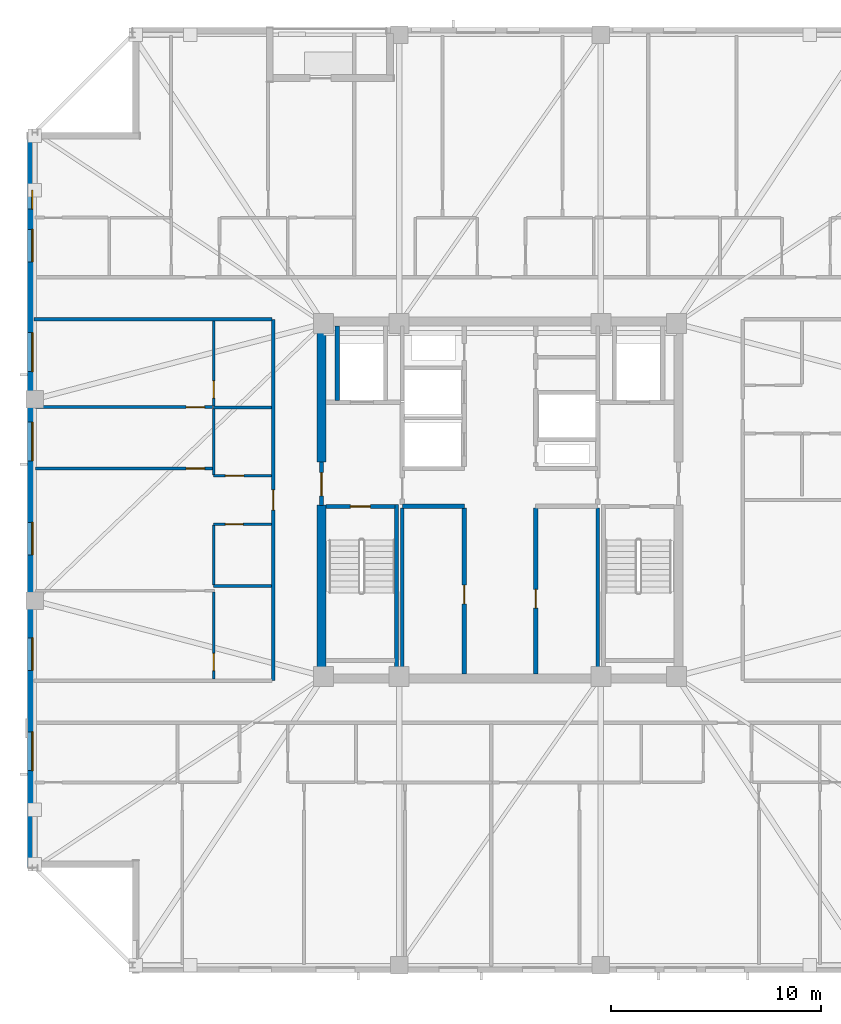
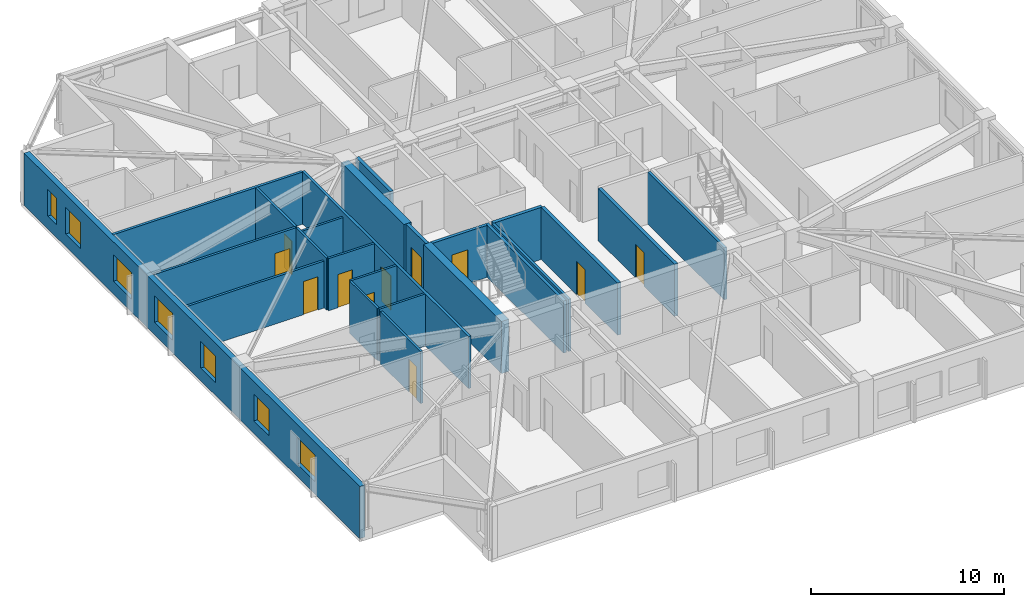
# One storey, part 8 of 17: 24 walls, 11 doors, 7 windows, 18 openings.
"""IFC4 building model written with IfcOpenShell, lengths in metres."""

from ifc_helpers import new_model, si_unit, direction, frame, frame_2d, origin, place, context, subcontext, project, spatial, rectangle, extrude, material, layer, layer_set, type_object, element, fill, save


model = new_model("IFC4")

# Units and contexts
model_context = context("Model", 3, precision=1e-05, world=origin(), true_north=direction((0.0, 1.0)))
body_context = subcontext(model_context, "Body", "Model", "MODEL_VIEW")
ifc_project = project(units=[si_unit("LENGTHUNIT", "METRE"), si_unit("AREAUNIT", "SQUARE_METRE"), si_unit("VOLUMEUNIT", "CUBIC_METRE"), si_unit("PLANEANGLEUNIT", "RADIAN"), si_unit("MASSUNIT", "GRAM", prefix="KILO")], contexts=[model_context])

# Site, building, storey
site_placement = place(None, origin())
site = spatial("IfcSite", under=ifc_project, at=site_placement, CompositionType="ELEMENT")
building_placement = place(site_placement, origin())
building = spatial("IfcBuilding", under=site, at=building_placement, Name="Cairnveth Concourse Tower", CompositionType="ELEMENT")
storey_placement = place(building_placement, frame((0.0, 0.0, 223.5)))
storey = spatial("IfcBuildingStorey", under=building, at=storey_placement, Name="L61", CompositionType="ELEMENT", Elevation=223.5)

# Walls
ifc_material_1 = material(Name="Gypsum Plasterboard Partition", Category="gypsum")
ifc_layer_1 = layer(ifc_material_1, 0.159912109375)
ifc_layer_set_1 = layer_set([ifc_layer_1], Name="Gypsum Plasterboard Partition")
wall_type_1 = type_object("IfcWallType", Name="ACOUSTIC PARTY WALL 180", PredefinedType="PARTITIONING", material=ifc_layer_set_1)
for number, where, z_axis, x_axis, name in (
    (1, (47.35009765625, 30.7099609375, 0.0), (0.0, 0.0, 1.0), (0.0, 1.0, 0.0), "Interior Wall IW-L61-025"),
    (2, (56.64990234375, 30.7099609375, 0.0), (0.0, 0.0, 1.0), (0.0, 1.0, 0.0), "Interior Wall IW-L61-026"),
):
    element("IfcWall", number, at=place(storey_placement, frame(where, z_axis=z_axis, x_axis=x_axis)), inside=storey, type_object=wall_type_1, Name=name, PredefinedType="PARTITIONING", context=body_context, shape_type="SweptSolid", body=[
        extrude(rectangle(XDim=7.905029296875, YDim=0.159912109375, at=frame_2d((3.95263671875, 0.0))), origin(), (0.0, 0.0, 1.0), 3.2900390625),
    ])

# Wall, opening, door
wall_1_placement = place(storey_placement, frame((41.199951171875, 30.39990234375, 0.0), z_axis=(0.0, 0.0, 1.0), x_axis=(0.0, 1.0, 0.0)))
wall_1 = element("IfcWall", 3, at=wall_1_placement, inside=storey, type_object=wall_type_1, Name="Interior Wall IW-L61-036", PredefinedType="PARTITIONING", context=body_context, shape_type="SweptSolid", body=[
    extrude(rectangle(XDim=17.2001953125, YDim=0.159912109375, at=frame_2d((8.60009765625, 0.0))), origin(), (0.0, 0.0, 1.0), 3.2900390625),
])
opening_1_placement = place(wall_1_placement, frame((8.1201171875, 0.0, 0.0)))
opening_1 = element("IfcOpeningElement", 4, at=opening_1_placement, cuts=wall_1, Name="Opening ID10", PredefinedType="OPENING", context=body_context, shape_type="SweptSolid", body=[
    extrude(rectangle(XDim=0.9599609375, YDim=2.179931640625, at=frame_2d((0.47998046875, 1.08984375))), frame((0.0, 0.08984375, 0.0), z_axis=(0.0, -1.0, 0.0), x_axis=(1.0, 0.0, 0.0)), (0.0, 0.0, 1.0), 0.179931640625),
])
ifc_material_2 = material(Name="Solid Core Hardwood Timber Leaf", Category="wood")
door_type_1 = type_object("IfcDoorType", Name="FLAT ENTRANCE DOOR 960X2150", OperationType="NOTDEFINED", PredefinedType="DOOR", material=ifc_material_2)
door_1_placement = place(opening_1_placement, origin())
door_1 = element("IfcDoor", 5, at=door_1_placement, inside=storey, type_object=door_type_1, Name="Apartment L61W1 Entrance Door", OperationType="SINGLE_SWING_RIGHT", OverallHeight=2.179931640625, OverallWidth=0.9599609375, PredefinedType="DOOR", context=body_context, shape_type="SweptSolid", body=[
    extrude(rectangle(XDim=0.9599609375, YDim=2.179931640625, at=frame_2d((0.47998046875, 1.08984375))), frame((0.0, 0.02490234375, 0.0), z_axis=(0.0, -1.0, 0.0), x_axis=(1.0, 0.0, 0.0)), (0.0, 0.0, 1.0), 0.050048828125),
])
fill(opening_1, door_1)

# Walls
wall_2_placement = place(storey_placement, frame((29.804931640625, 47.60009765625, 0.0), z_axis=(0.0, 0.0, 1.0), x_axis=(1.0, 0.0, 0.0)))
element("IfcWall", 6, at=wall_2_placement, inside=storey, type_object=wall_type_1, Name="Interior Wall IW-L61-039", PredefinedType="PARTITIONING", context=body_context, shape_type="SweptSolid", body=[
    extrude(rectangle(XDim=11.330078125, YDim=0.159912109375, at=frame_2d((5.6650390625, 0.0))), origin(), (0.0, 0.0, 1.0), 3.2900390625),
])
ifc_material_3 = material(Name="Concrete N65 (65 MPa)", Category="concrete")
ifc_layer_2 = layer(ifc_material_3, 0.449951171875)
ifc_layer_set_2 = layer_set([ifc_layer_2], Name="Concrete N65 (65 MPa)")
wall_type_2 = type_object("IfcWallType", Name="CORE SHEAR WALL 450", PredefinedType="SHEAR", material=ifc_layer_set_2)
wall_3_placement = place(storey_placement, frame((43.5, 30.715087890625, 0.0), z_axis=(0.0, 0.0, 1.0), x_axis=(0.0, 1.0, 0.0)))
element("IfcWall", 7, at=wall_3_placement, inside=storey, type_object=wall_type_2, Name="Core West Shear Wall S L61", PredefinedType="SHEAR", context=body_context, shape_type="SweptSolid", body=[
    extrude(rectangle(XDim=8.034912109375, YDim=0.449951171875, at=frame_2d((4.017578125, 0.0))), origin(), (0.0, 0.0, 1.0), 3.2900390625),
])
wall_4_placement = place(storey_placement, frame((43.5, 40.800048828125, 0.0), z_axis=(0.0, 0.0, 1.0), x_axis=(0.0, 1.0, 0.0)))
element("IfcWall", 8, at=wall_4_placement, inside=storey, type_object=wall_type_2, Name="Core West Shear Wall N L61", PredefinedType="SHEAR", context=body_context, shape_type="SweptSolid", body=[
    extrude(rectangle(XDim=6.48486328125, YDim=0.449951171875, at=frame_2d((3.242431640625, 0.0))), origin(), (0.0, 0.0, 1.0), 3.2900390625),
])

# Wall, opening, door
ifc_material_4 = material(Name="Concrete N50 (50 MPa)", Category="concrete")
ifc_layer_3 = layer(ifc_material_4, 0.179931640625)
ifc_layer_set_3 = layer_set([ifc_layer_3], Name="Concrete N50 (50 MPa)")
wall_type_3 = type_object("IfcWallType", Name="FIRE SHAFT WALL 180", PredefinedType="SOLIDWALL", material=ifc_layer_set_3)
wall_5_placement = place(storey_placement, frame((43.715087890625, 38.68994140625, 0.0), z_axis=(0.0, 0.0, 1.0), x_axis=(1.0, 0.0, 0.0)))
wall_5 = element("IfcWall", 9, at=wall_5_placement, inside=storey, type_object=wall_type_3, Name="Stair ST-1 Shaft Wall NEAR L61", PredefinedType="SOLIDWALL", context=body_context, shape_type="SweptSolid", body=[
    extrude(rectangle(XDim=3.280029296875, YDim=0.179931640625, at=frame_2d((1.64013671875, 0.0))), origin(), (0.0, 0.0, 1.0), 3.2900390625),
])
opening_2_placement = place(wall_5_placement, frame((1.1650390625, 0.0, 0.0)))
opening_2 = element("IfcOpeningElement", 10, at=opening_2_placement, cuts=wall_5, Name="Opening ID12", PredefinedType="OPENING", context=body_context, shape_type="SweptSolid", body=[
    extrude(rectangle(XDim=0.949951171875, YDim=2.14990234375, at=frame_2d((0.47509765625, 1.074951171875))), frame((0.0, 0.099853515625, 0.0), z_axis=(0.0, -1.0, 0.0), x_axis=(1.0, 0.0, 0.0)), (0.0, 0.0, 1.0), 0.199951171875),
])
ifc_material_5 = material(Name="Steel Grade 350", Category="steel")
door_type_2 = type_object("IfcDoorType", Name="FIRE STAIR DOOR 950X2150", OperationType="NOTDEFINED", PredefinedType="DOOR", material=ifc_material_5)
door_2_placement = place(opening_2_placement, origin())
door_2 = element("IfcDoor", 11, at=door_2_placement, inside=storey, type_object=door_type_2, Name="Stair ST-1 Fire Door L61", OperationType="SINGLE_SWING_LEFT", OverallHeight=2.14990234375, OverallWidth=0.949951171875, PredefinedType="DOOR", context=body_context, shape_type="SweptSolid", body=[
    extrude(rectangle(XDim=0.949951171875, YDim=2.14990234375, at=frame_2d((0.47509765625, 1.074951171875))), frame((0.0, 0.02490234375, 0.0), z_axis=(0.0, -1.0, 0.0), x_axis=(1.0, 0.0, 0.0)), (0.0, 0.0, 1.0), 0.050048828125),
])
fill(opening_2, door_2)

# Walls
wall_6_placement = place(storey_placement, frame((47.070068359375, 38.780029296875, 0.0), z_axis=(0.0, 0.0, 1.0), x_axis=(0.0, -1.0, 0.0)))
element("IfcWall", 12, at=wall_6_placement, inside=storey, type_object=wall_type_3, Name="Stair ST-1 Shaft Wall RGHT L61", PredefinedType="SOLIDWALL", context=body_context, shape_type="SweptSolid", body=[
    extrude(rectangle(XDim=8.067138671875, YDim=0.179931640625, at=frame_2d((4.03369140625, 0.0))), origin(), (0.0, 0.0, 1.0), 3.2900390625),
])
ifc_layer_4 = layer(ifc_material_4, 0.199951171875)
ifc_layer_set_4 = layer_set([ifc_layer_4], Name="Concrete N50 (50 MPa)")
wall_type_4 = type_object("IfcWallType", Name="FIRE SHAFT WALL 200", PredefinedType="SOLIDWALL", material=ifc_layer_set_4)
wall_7_placement = place(storey_placement, frame((47.35009765625, 38.699951171875, 0.0), z_axis=(0.0, 0.0, 1.0), x_axis=(1.0, 0.0, 0.0)))
element("IfcWall", 13, at=wall_7_placement, inside=storey, type_object=wall_type_4, Name="Interior Wall IW-L61-007", PredefinedType="SOLIDWALL", context=body_context, shape_type="SweptSolid", body=[
    extrude(rectangle(XDim=2.949951171875, YDim=0.199951171875, at=frame_2d((1.47509765625, 0.0))), origin(), (0.0, 0.0, 1.0), 3.2900390625),
])

# Wall, opening, door
wall_8_placement = place(storey_placement, frame((50.300048828125, 30.7099609375, 0.0), z_axis=(0.0, 0.0, 1.0), x_axis=(0.0, 1.0, 0.0)))
wall_8 = element("IfcWall", 14, at=wall_8_placement, inside=storey, type_object=wall_type_4, Name="Interior Wall IW-L61-011", PredefinedType="SOLIDWALL", context=body_context, shape_type="SweptSolid", body=[
    extrude(rectangle(XDim=7.905029296875, YDim=0.199951171875, at=frame_2d((3.95263671875, 0.0))), origin(), (0.0, 0.0, 1.0), 3.2900390625),
])
opening_3_placement = place(wall_8_placement, frame((3.340087890625, 0.0, 0.0)))
opening_3 = element("IfcOpeningElement", 15, at=opening_3_placement, cuts=wall_8, Name="Opening ID16", PredefinedType="OPENING", context=body_context, shape_type="SweptSolid", body=[
    extrude(rectangle(XDim=0.89990234375, YDim=2.1201171875, at=frame_2d((0.449951171875, 1.06005859375))), frame((0.0, 0.10986328125, 0.0), z_axis=(0.0, -1.0, 0.0), x_axis=(1.0, 0.0, 0.0)), (0.0, 0.0, 1.0), 0.219970703125),
])
door_type_3 = type_object("IfcDoorType", Name="CORE SERVICE DOOR 900X2100", OperationType="NOTDEFINED", PredefinedType="DOOR", material=ifc_material_5)
door_3_placement = place(opening_3_placement, origin())
door_3 = element("IfcDoor", 16, at=door_3_placement, inside=storey, type_object=door_type_3, Name="Linen Pantry Suite Door L61", OperationType="SINGLE_SWING_LEFT", OverallHeight=2.1201171875, OverallWidth=0.89990234375, PredefinedType="DOOR", context=body_context, shape_type="SweptSolid", body=[
    extrude(rectangle(XDim=0.89990234375, YDim=2.1201171875, at=frame_2d((0.449951171875, 1.06005859375))), frame((0.0, 0.02490234375, 0.0), z_axis=(0.0, -1.0, 0.0), x_axis=(1.0, 0.0, 0.0)), (0.0, 0.0, 1.0), 0.050048828125),
])
fill(opening_3, door_3)

wall_9_placement = place(storey_placement, frame((53.699951171875, 30.7099609375, 0.0), z_axis=(0.0, 0.0, 1.0), x_axis=(0.0, 1.0, 0.0)))
wall_9 = element("IfcWall", 17, at=wall_9_placement, inside=storey, type_object=wall_type_4, Name="Interior Wall IW-L61-012", PredefinedType="SOLIDWALL", context=body_context, shape_type="SweptSolid", body=[
    extrude(rectangle(XDim=7.905029296875, YDim=0.199951171875, at=frame_2d((3.95263671875, 0.0))), origin(), (0.0, 0.0, 1.0), 3.2900390625),
])
opening_4_placement = place(wall_9_placement, frame((3.139892578125, 0.0, 0.0)))
opening_4 = element("IfcOpeningElement", 18, at=opening_4_placement, cuts=wall_9, Name="Opening ID16", PredefinedType="OPENING", context=body_context, shape_type="SweptSolid", body=[
    extrude(rectangle(XDim=0.89990234375, YDim=2.1201171875, at=frame_2d((0.449951171875, 1.06005859375))), frame((0.0, 0.10986328125, 0.0), z_axis=(0.0, -1.0, 0.0), x_axis=(1.0, 0.0, 0.0)), (0.0, 0.0, 1.0), 0.219970703125),
])
door_4_placement = place(opening_4_placement, origin())
door_4 = element("IfcDoor", 19, at=door_4_placement, inside=storey, type_object=door_type_3, Name="Sky Pantry Door L61", OperationType="SINGLE_SWING_RIGHT", OverallHeight=2.1201171875, OverallWidth=0.89990234375, PredefinedType="DOOR", context=body_context, shape_type="SweptSolid", body=[
    extrude(rectangle(XDim=0.89990234375, YDim=2.1201171875, at=frame_2d((0.449951171875, 1.06005859375))), frame((0.0, 0.02490234375, 0.0), z_axis=(0.0, -1.0, 0.0), x_axis=(1.0, 0.0, 0.0)), (0.0, 0.0, 1.0), 0.050048828125),
])
fill(opening_4, door_4)

wall_10_placement = place(storey_placement, frame((43.5, 38.75, 0.0), z_axis=(0.0, 0.0, 1.0), x_axis=(0.0, 1.0, 0.0)))
wall_10 = element("IfcWall", 20, at=wall_10_placement, inside=storey, type_object=wall_type_4, Name="Interior Wall IW-L61-015", PredefinedType="SOLIDWALL", context=body_context, shape_type="SweptSolid", body=[
    extrude(rectangle(XDim=2.050048828125, YDim=0.199951171875, at=frame_2d((1.02490234375, 0.0))), origin(), (0.0, 0.0, 1.0), 3.2900390625),
])
opening_5_placement = place(wall_10_placement, frame((0.449951171875, 0.0, 0.0)))
opening_5 = element("IfcOpeningElement", 21, at=opening_5_placement, cuts=wall_10, Name="Opening ID06", PredefinedType="OPENING", context=body_context, shape_type="SweptSolid", body=[
    extrude(rectangle(XDim=1.10009765625, YDim=2.14990234375, at=frame_2d((0.550048828125, 1.074951171875))), frame((0.0, 0.10986328125, 0.0), z_axis=(0.0, -1.0, 0.0), x_axis=(1.0, 0.0, 0.0)), (0.0, 0.0, 1.0), 0.219970703125),
])
door_type_4 = type_object("IfcDoorType", Name="FIRE CORRIDOR DOOR 1100X2150", OperationType="NOTDEFINED", PredefinedType="DOOR", material=ifc_material_5)
door_5_placement = place(opening_5_placement, origin())
door_5 = element("IfcDoor", 22, at=door_5_placement, inside=storey, type_object=door_type_4, Name="West Wing to FF Lobby Door L61", OperationType="SINGLE_SWING_LEFT", OverallHeight=2.14990234375, OverallWidth=1.10009765625, PredefinedType="DOOR", context=body_context, shape_type="SweptSolid", body=[
    extrude(rectangle(XDim=1.10009765625, YDim=2.14990234375, at=frame_2d((0.550048828125, 1.074951171875))), frame((0.0, 0.02490234375, 0.0), z_axis=(0.0, -1.0, 0.0), x_axis=(1.0, 0.0, 0.0)), (0.0, 0.0, 1.0), 0.050048828125),
])
fill(opening_5, door_5)

# Wall
wall_11_placement = place(storey_placement, frame((44.25, 43.735107421875, 0.0), z_axis=(0.0, 0.0, 1.0), x_axis=(0.0, 1.0, 0.0)))
element("IfcWall", 23, at=wall_11_placement, inside=storey, type_object=wall_type_4, Name="Interior Wall IW-L61-019", PredefinedType="SOLIDWALL", context=body_context, shape_type="SweptSolid", body=[
    extrude(rectangle(XDim=3.554931640625, YDim=0.199951171875, at=frame_2d((1.77734375, 0.0))), origin(), (0.0, 0.0, 1.0), 3.2900390625),
])

# Wall, opening, door
ifc_layer_5 = layer(ifc_material_1, 0.139892578125)
ifc_layer_set_5 = layer_set([ifc_layer_5], Name="Gypsum Plasterboard Partition")
wall_type_5 = type_object("IfcWallType", Name="GYPSUM STUD PARTITION 140", PredefinedType="PARTITIONING", material=ifc_layer_set_5)
wall_12_placement = place(storey_placement, frame((38.3701171875, 30.465087890625, 0.0), z_axis=(0.0, 0.0, 1.0), x_axis=(0.0, 1.0, 0.0)))
wall_12 = element("IfcWall", 24, at=wall_12_placement, inside=storey, type_object=wall_type_5, Name="Interior Wall IW-L61-103", PredefinedType="PARTITIONING", context=body_context, shape_type="SweptSolid", body=[
    extrude(rectangle(XDim=4.159912109375, YDim=0.139892578125, at=frame_2d((2.080078125, 0.0))), origin(), (0.0, 0.0, 1.0), 3.2900390625),
])
opening_6_placement = place(wall_12_placement, frame((0.4150390625, 0.0, 0.0)))
opening_6 = element("IfcOpeningElement", 25, at=opening_6_placement, cuts=wall_12, Name="Opening ID22", PredefinedType="OPENING", context=body_context, shape_type="SweptSolid", body=[
    extrude(rectangle(XDim=0.820068359375, YDim=2.10009765625, at=frame_2d((0.41015625, 1.050048828125))), frame((0.0, 0.079833984375, 0.0), z_axis=(0.0, -1.0, 0.0), x_axis=(1.0, 0.0, 0.0)), (0.0, 0.0, 1.0), 0.159912109375),
])
door_type_5 = type_object("IfcDoorType", Name="INTERIOR WC DOOR 820X2100", OperationType="NOTDEFINED", PredefinedType="DOOR", material=ifc_material_2)
door_6_placement = place(opening_6_placement, origin())
door_6 = element("IfcDoor", 26, at=door_6_placement, inside=storey, type_object=door_type_5, Name="L61W1 Dressing Door", OperationType="SINGLE_SWING_LEFT", OverallHeight=2.10009765625, OverallWidth=0.820068359375, PredefinedType="DOOR", context=body_context, shape_type="SweptSolid", body=[
    extrude(rectangle(XDim=0.820068359375, YDim=2.10009765625, at=frame_2d((0.41015625, 1.050048828125))), frame((0.0, 0.02490234375, 0.0), z_axis=(0.0, -1.0, 0.0), x_axis=(1.0, 0.0, 0.0)), (0.0, 0.0, 1.0), 0.050048828125),
])
fill(opening_6, door_6)

wall_13_placement = place(storey_placement, frame((29.8798828125, 43.419921875, 0.0), z_axis=(0.0, 0.0, 1.0), x_axis=(1.0, 0.0, 0.0)))
wall_13 = element("IfcWall", 27, at=wall_13_placement, inside=storey, type_object=wall_type_5, Name="Interior Wall IW-L61-104", PredefinedType="PARTITIONING", context=body_context, shape_type="SweptSolid", body=[
    extrude(rectangle(XDim=8.440185546875, YDim=0.139892578125, at=frame_2d((4.22021484375, 0.0))), origin(), (0.0, 0.0, 1.0), 3.2900390625),
])
opening_7_placement = place(wall_13_placement, frame((7.179931640625, 0.0, 0.0)))
opening_7 = element("IfcOpeningElement", 28, at=opening_7_placement, cuts=wall_13, Name="Opening ID18", PredefinedType="OPENING", context=body_context, shape_type="SweptSolid", body=[
    extrude(rectangle(XDim=0.8798828125, YDim=2.10009765625, at=frame_2d((0.43994140625, 1.050048828125))), frame((0.0, 0.079833984375, 0.0), z_axis=(0.0, -1.0, 0.0), x_axis=(1.0, 0.0, 0.0)), (0.0, 0.0, 1.0), 0.159912109375),
])
door_type_6 = type_object("IfcDoorType", Name="INTERIOR SINGLE DOOR 880X2100", OperationType="NOTDEFINED", PredefinedType="DOOR", material=ifc_material_2)
door_7_placement = place(opening_7_placement, origin())
door_7 = element("IfcDoor", 29, at=door_7_placement, inside=storey, type_object=door_type_6, Name="L61W1 Bedroom 2 Door", OperationType="SINGLE_SWING_RIGHT", OverallHeight=2.10009765625, OverallWidth=0.8798828125, PredefinedType="DOOR", context=body_context, shape_type="SweptSolid", body=[
    extrude(rectangle(XDim=0.8798828125, YDim=2.10009765625, at=frame_2d((0.43994140625, 1.050048828125))), frame((0.0, 0.02490234375, 0.0), z_axis=(0.0, -1.0, 0.0), x_axis=(1.0, 0.0, 0.0)), (0.0, 0.0, 1.0), 0.050048828125),
])
fill(opening_7, door_7)

wall_14_placement = place(storey_placement, frame((38.3701171875, 43.47509765625, 0.0), z_axis=(0.0, 0.0, 1.0), x_axis=(0.0, 1.0, 0.0)))
wall_14 = element("IfcWall", 30, at=wall_14_placement, inside=storey, type_object=wall_type_5, Name="Interior Wall IW-L61-105", PredefinedType="PARTITIONING", context=body_context, shape_type="SweptSolid", body=[
    extrude(rectangle(XDim=4.059814453125, YDim=0.139892578125, at=frame_2d((2.02978515625, 0.0))), origin(), (0.0, 0.0, 1.0), 3.2900390625),
])
opening_8_placement = place(wall_14_placement, frame((0.375, 0.0, 0.0)))
opening_8 = element("IfcOpeningElement", 31, at=opening_8_placement, cuts=wall_14, Name="Opening ID22", PredefinedType="OPENING", context=body_context, shape_type="SweptSolid", body=[
    extrude(rectangle(XDim=0.820068359375, YDim=2.10009765625, at=frame_2d((0.41015625, 1.050048828125))), frame((0.0, 0.079833984375, 0.0), z_axis=(0.0, -1.0, 0.0), x_axis=(1.0, 0.0, 0.0)), (0.0, 0.0, 1.0), 0.159912109375),
])
door_8_placement = place(opening_8_placement, origin())
door_8 = element("IfcDoor", 32, at=door_8_placement, inside=storey, type_object=door_type_5, Name="L61W1 Utility Door", OperationType="SINGLE_SWING_LEFT", OverallHeight=2.10009765625, OverallWidth=0.820068359375, PredefinedType="DOOR", context=body_context, shape_type="SweptSolid", body=[
    extrude(rectangle(XDim=0.820068359375, YDim=2.10009765625, at=frame_2d((0.41015625, 1.050048828125))), frame((0.0, 0.02490234375, 0.0), z_axis=(0.0, -1.0, 0.0), x_axis=(1.0, 0.0, 0.0)), (0.0, 0.0, 1.0), 0.050048828125),
])
fill(opening_8, door_8)

wall_15_placement = place(storey_placement, frame((29.8798828125, 40.5, 0.0), z_axis=(0.0, 0.0, 1.0), x_axis=(1.0, 0.0, 0.0)))
wall_15 = element("IfcWall", 33, at=wall_15_placement, inside=storey, type_object=wall_type_5, Name="Interior Wall IW-L61-106", PredefinedType="PARTITIONING", context=body_context, shape_type="SweptSolid", body=[
    extrude(rectangle(XDim=8.440185546875, YDim=0.139892578125, at=frame_2d((4.22021484375, 0.0))), origin(), (0.0, 0.0, 1.0), 2.9580078125),
])
opening_9_placement = place(wall_15_placement, frame((7.179931640625, 0.0, 0.0)))
opening_9 = element("IfcOpeningElement", 34, at=opening_9_placement, cuts=wall_15, Name="Opening ID18", PredefinedType="OPENING", context=body_context, shape_type="SweptSolid", body=[
    extrude(rectangle(XDim=0.8798828125, YDim=2.10009765625, at=frame_2d((0.43994140625, 1.050048828125))), frame((0.0, 0.079833984375, 0.0), z_axis=(0.0, -1.0, 0.0), x_axis=(1.0, 0.0, 0.0)), (0.0, 0.0, 1.0), 0.159912109375),
])
door_9_placement = place(opening_9_placement, origin())
door_9 = element("IfcDoor", 35, at=door_9_placement, inside=storey, type_object=door_type_6, Name="L61W1 Media Lounge Door", OperationType="SINGLE_SWING_LEFT", OverallHeight=2.10009765625, OverallWidth=0.8798828125, PredefinedType="DOOR", context=body_context, shape_type="SweptSolid", body=[
    extrude(rectangle(XDim=0.8798828125, YDim=2.10009765625, at=frame_2d((0.43994140625, 1.050048828125))), frame((0.0, 0.02490234375, 0.0), z_axis=(0.0, -1.0, 0.0), x_axis=(1.0, 0.0, 0.0)), (0.0, 0.0, 1.0), 0.050048828125),
])
fill(opening_9, door_9)

# Wall
ifc_layer_6 = layer(ifc_material_1, 0.1298828125)
ifc_layer_set_6 = layer_set([ifc_layer_6], Name="Gypsum Plasterboard Partition")
wall_type_6 = type_object("IfcWallType", Name="WET AREA PARTITION 140", PredefinedType="PLUMBINGWALL", material=ifc_layer_set_6)
wall_16_placement = place(storey_placement, frame((38.3701171875, 34.89990234375, 0.0), z_axis=(0.0, 0.0, 1.0), x_axis=(1.0, 0.0, 0.0)))
element("IfcWall", 36, at=wall_16_placement, inside=storey, type_object=wall_type_6, Name="Interior Wall IW-L61-096", PredefinedType="PLUMBINGWALL", context=body_context, shape_type="SweptSolid", body=[
    extrude(rectangle(XDim=2.75, YDim=0.1298828125, at=frame_2d((1.375, 0.0))), origin(), (0.0, 0.0, 1.0), 3.2900390625),
])

# Wall, opening, door
wall_17_placement = place(storey_placement, frame((38.3701171875, 37.85009765625, 0.0), z_axis=(0.0, 0.0, 1.0), x_axis=(1.0, 0.0, 0.0)))
wall_17 = element("IfcWall", 37, at=wall_17_placement, inside=storey, type_object=wall_type_6, Name="Interior Wall IW-L61-097", PredefinedType="PLUMBINGWALL", context=body_context, shape_type="SweptSolid", body=[
    extrude(rectangle(XDim=2.75, YDim=0.1298828125, at=frame_2d((1.375, 0.0))), origin(), (0.0, 0.0, 1.0), 3.2900390625),
])
opening_10_placement = place(wall_17_placement, frame((0.550048828125, 0.0, 0.0)))
opening_10 = element("IfcOpeningElement", 38, at=opening_10_placement, cuts=wall_17, Name="Opening ID21", PredefinedType="OPENING", context=body_context, shape_type="SweptSolid", body=[
    extrude(rectangle(XDim=0.85009765625, YDim=2.080078125, at=frame_2d((0.425048828125, 1.0400390625))), frame((0.0, 0.074951171875, 0.0), z_axis=(0.0, -1.0, 0.0), x_axis=(1.0, 0.0, 0.0)), (0.0, 0.0, 1.0), 0.14990234375),
])
door_type_7 = type_object("IfcDoorType", Name="INTERIOR WC DOOR 850X2100", OperationType="NOTDEFINED", PredefinedType="DOOR", material=ifc_material_2)
door_10_placement = place(opening_10_placement, origin())
door_10 = element("IfcDoor", 39, at=door_10_placement, inside=storey, type_object=door_type_7, Name="L61W1 Bathroom Door", OperationType="SINGLE_SWING_LEFT", OverallHeight=2.080078125, OverallWidth=0.85009765625, PredefinedType="DOOR", context=body_context, shape_type="SweptSolid", body=[
    extrude(rectangle(XDim=0.85009765625, YDim=2.080078125, at=frame_2d((0.425048828125, 1.0400390625))), frame((0.0, 0.02490234375, 0.0), z_axis=(0.0, -1.0, 0.0), x_axis=(1.0, 0.0, 0.0)), (0.0, 0.0, 1.0), 0.050048828125),
])
fill(opening_10, door_10)

# Walls
wall_18_placement = place(storey_placement, frame((38.3701171875, 34.949951171875, 0.0), z_axis=(0.0, 0.0, 1.0), x_axis=(0.0, 1.0, 0.0)))
element("IfcWall", 40, at=wall_18_placement, inside=storey, type_object=wall_type_6, Name="Interior Wall IW-L61-098", PredefinedType="PLUMBINGWALL", context=body_context, shape_type="SweptSolid", body=[
    extrude(rectangle(XDim=2.85009765625, YDim=0.1298828125, at=frame_2d((1.425048828125, 0.0))), origin(), (0.0, 0.0, 1.0), 3.2900390625),
])
wall_19_placement = place(storey_placement, frame((38.3701171875, 43.39990234375, 0.0), z_axis=(0.0, 0.0, 1.0), x_axis=(1.0, 0.0, 0.0)))
element("IfcWall", 41, at=wall_19_placement, inside=storey, type_object=wall_type_6, Name="Interior Wall IW-L61-099", PredefinedType="PLUMBINGWALL", context=body_context, shape_type="SweptSolid", body=[
    extrude(rectangle(XDim=2.75, YDim=0.1298828125, at=frame_2d((1.375, 0.0))), origin(), (0.0, 0.0, 1.0), 2.9580078125),
])

# Wall, opening, door
wall_20_placement = place(storey_placement, frame((38.3701171875, 40.14990234375, 0.0), z_axis=(0.0, 0.0, 1.0), x_axis=(1.0, 0.0, 0.0)))
wall_20 = element("IfcWall", 42, at=wall_20_placement, inside=storey, type_object=wall_type_6, Name="Interior Wall IW-L61-100", PredefinedType="PLUMBINGWALL", context=body_context, shape_type="SweptSolid", body=[
    extrude(rectangle(XDim=2.75, YDim=0.1298828125, at=frame_2d((1.375, 0.0))), origin(), (0.0, 0.0, 1.0), 3.2900390625),
])
opening_11_placement = place(wall_20_placement, frame((0.550048828125, 0.0, 0.0)))
opening_11 = element("IfcOpeningElement", 43, at=opening_11_placement, cuts=wall_20, Name="Opening ID18", PredefinedType="OPENING", context=body_context, shape_type="SweptSolid", body=[
    extrude(rectangle(XDim=0.8798828125, YDim=2.10009765625, at=frame_2d((0.43994140625, 1.050048828125))), frame((0.0, 0.074951171875, 0.0), z_axis=(0.0, -1.0, 0.0), x_axis=(1.0, 0.0, 0.0)), (0.0, 0.0, 1.0), 0.14990234375),
])
door_11_placement = place(opening_11_placement, origin())
door_11 = element("IfcDoor", 44, at=door_11_placement, inside=storey, type_object=door_type_6, Name="L61W1 Kitchen Door", OperationType="SINGLE_SWING_RIGHT", OverallHeight=2.10009765625, OverallWidth=0.8798828125, PredefinedType="DOOR", context=body_context, shape_type="SweptSolid", body=[
    extrude(rectangle(XDim=0.8798828125, YDim=2.10009765625, at=frame_2d((0.43994140625, 1.050048828125))), frame((0.0, 0.02490234375, 0.0), z_axis=(0.0, -1.0, 0.0), x_axis=(1.0, 0.0, 0.0)), (0.0, 0.0, 1.0), 0.050048828125),
])
fill(opening_11, door_11)

# Wall
wall_21_placement = place(storey_placement, frame((38.3701171875, 40.199951171875, 0.0), z_axis=(0.0, 0.0, 1.0), x_axis=(0.0, 1.0, 0.0)))
element("IfcWall", 45, at=wall_21_placement, inside=storey, type_object=wall_type_6, Name="Interior Wall IW-L61-101", PredefinedType="PLUMBINGWALL", context=body_context, shape_type="SweptSolid", body=[
    extrude(rectangle(XDim=3.150146484375, YDim=0.1298828125, at=frame_2d((1.5751953125, 0.0))), origin(), (0.0, 0.0, 1.0), 3.2900390625),
])

# Wall, openings, windows
ifc_material_6 = material(Name="Melbourne Buff Fired Clay Brick Masonry", Category="masonry")
ifc_layer_7 = layer(ifc_material_6, 0.320068359375)
ifc_layer_set_7 = layer_set([ifc_layer_7], Name="Melbourne Buff Fired Clay Brick Masonry")
wall_type_7 = type_object("IfcWallType", Name="ZONE 3 BRICK PIER SPANDREL WALL 320", PredefinedType="SOLIDWALL", material=ifc_layer_set_7)
wall_22_placement = place(storey_placement, frame((29.659912109375, 21.5, 0.0), z_axis=(0.0, 0.0, 1.0), x_axis=(0.0, 1.0, 0.0)))
wall_22 = element("IfcWall", 46, at=wall_22_placement, inside=storey, type_object=wall_type_7, Name="Exterior Wall EW-L61-S09", PredefinedType="SOLIDWALL", context=body_context, shape_type="SweptSolid", body=[
    extrude(rectangle(XDim=34.701904296875, YDim=0.320068359375, at=frame_2d((17.35107421875, 0.0))), origin(), (0.0, 0.0, 1.0), 3.2900390625),
])
opening_12_placement = place(wall_22_placement, frame((4.612548828125, 0.0, 0.800048828125)))
opening_12 = element("IfcOpeningElement", 47, at=opening_12_placement, cuts=wall_22, Name="Opening W08", PredefinedType="OPENING", context=body_context, shape_type="SweptSolid", body=[
    extrude(rectangle(XDim=1.85009765625, YDim=1.677978515625, at=frame_2d((0.925048828125, 0.8388671875))), frame((0.0, 0.169921875, 0.0), z_axis=(0.0, -1.0, 0.0), x_axis=(1.0, 0.0, 0.0)), (0.0, 0.0, 1.0), 0.340087890625),
])
opening_13_placement = place(wall_22_placement, frame((9.387939453125, 0.0, 0.800048828125)))
opening_13 = element("IfcOpeningElement", 48, at=opening_13_placement, cuts=wall_22, Name="Opening W07", PredefinedType="OPENING", context=body_context, shape_type="SweptSolid", body=[
    extrude(rectangle(XDim=1.550048828125, YDim=1.677978515625, at=frame_2d((0.77490234375, 0.8388671875))), frame((0.0, 0.169921875, 0.0), z_axis=(0.0, -1.0, 0.0), x_axis=(1.0, 0.0, 0.0)), (0.0, 0.0, 1.0), 0.340087890625),
])
opening_14_placement = place(wall_22_placement, frame((14.888427734375, 0.0, 0.800048828125)))
opening_14 = element("IfcOpeningElement", 49, at=opening_14_placement, cuts=wall_22, Name="Opening W07", PredefinedType="OPENING", context=body_context, shape_type="SweptSolid", body=[
    extrude(rectangle(XDim=1.550048828125, YDim=1.677978515625, at=frame_2d((0.77490234375, 0.8388671875))), frame((0.0, 0.169921875, 0.0), z_axis=(0.0, -1.0, 0.0), x_axis=(1.0, 0.0, 0.0)), (0.0, 0.0, 1.0), 0.340087890625),
])
opening_15_placement = place(wall_22_placement, frame((19.363525390625, 0.0, 0.800048828125)))
opening_15 = element("IfcOpeningElement", 50, at=opening_15_placement, cuts=wall_22, Name="Opening W08", PredefinedType="OPENING", context=body_context, shape_type="SweptSolid", body=[
    extrude(rectangle(XDim=1.85009765625, YDim=1.677978515625, at=frame_2d((0.925048828125, 0.8388671875))), frame((0.0, 0.169921875, 0.0), z_axis=(0.0, -1.0, 0.0), x_axis=(1.0, 0.0, 0.0)), (0.0, 0.0, 1.0), 0.340087890625),
])
opening_16_placement = place(wall_22_placement, frame((23.614013671875, 0.0, 0.800048828125)))
opening_16 = element("IfcOpeningElement", 51, at=opening_16_placement, cuts=wall_22, Name="Opening W08", PredefinedType="OPENING", context=body_context, shape_type="SweptSolid", body=[
    extrude(rectangle(XDim=1.85009765625, YDim=1.677978515625, at=frame_2d((0.925048828125, 0.8388671875))), frame((0.0, 0.169921875, 0.0), z_axis=(0.0, -1.0, 0.0), x_axis=(1.0, 0.0, 0.0)), (0.0, 0.0, 1.0), 0.340087890625),
])
opening_17_placement = place(wall_22_placement, frame((28.83935546875, 0.0, 0.800048828125)))
opening_17 = element("IfcOpeningElement", 52, at=opening_17_placement, cuts=wall_22, Name="Opening W07", PredefinedType="OPENING", context=body_context, shape_type="SweptSolid", body=[
    extrude(rectangle(XDim=1.550048828125, YDim=1.677978515625, at=frame_2d((0.77490234375, 0.8388671875))), frame((0.0, 0.169921875, 0.0), z_axis=(0.0, -1.0, 0.0), x_axis=(1.0, 0.0, 0.0)), (0.0, 0.0, 1.0), 0.340087890625),
])
opening_18_placement = place(wall_22_placement, frame((31.35009765625, 0.0, 0.800048828125)))
opening_18 = element("IfcOpeningElement", 53, at=opening_18_placement, cuts=wall_22, Name="Opening W13", PredefinedType="OPENING", context=body_context, shape_type="SweptSolid", body=[
    extrude(rectangle(XDim=0.89990234375, YDim=1.677978515625, at=frame_2d((0.449951171875, 0.8388671875))), frame((0.0, 0.169921875, 0.0), z_axis=(0.0, -1.0, 0.0), x_axis=(1.0, 0.0, 0.0)), (0.0, 0.0, 1.0), 0.340087890625),
])
ifc_material_7 = material(Name="Double Glazed Low-E Clear Glass", Category="glass")
window_type_1 = type_object("IfcWindowType", Name="DEEP-SET APARTMENT LIVING WINDOW 1850X1850", PartitioningType="DOUBLE_PANEL_VERTICAL", PredefinedType="WINDOW", material=ifc_material_7)
window_1_placement = place(opening_12_placement, origin())
window_1 = element("IfcWindow", 54, at=window_1_placement, inside=storey, type_object=window_type_1, Name="Gothic Lancet Window L61-9-1", OverallHeight=1.677978515625, OverallWidth=1.85009765625, PartitioningType="SINGLE_PANEL", PredefinedType="WINDOW", context=body_context, shape_type="SweptSolid", body=[
    extrude(rectangle(XDim=1.85009765625, YDim=1.677978515625, at=frame_2d((0.925048828125, 0.8388671875))), frame((0.0, -0.050048828125, 0.0), z_axis=(0.0, -1.0, 0.0), x_axis=(1.0, 0.0, 0.0)), (0.0, 0.0, 1.0), 0.06005859375),
])
fill(opening_12, window_1)
window_2_placement = place(opening_15_placement, origin())
window_2 = element("IfcWindow", 55, at=window_2_placement, inside=storey, type_object=window_type_1, Name="Gothic Lancet Window L61-9-5", OverallHeight=1.677978515625, OverallWidth=1.85009765625, PartitioningType="SINGLE_PANEL", PredefinedType="WINDOW", context=body_context, shape_type="SweptSolid", body=[
    extrude(rectangle(XDim=1.85009765625, YDim=1.677978515625, at=frame_2d((0.925048828125, 0.8388671875))), frame((0.0, -0.050048828125, 0.0), z_axis=(0.0, -1.0, 0.0), x_axis=(1.0, 0.0, 0.0)), (0.0, 0.0, 1.0), 0.06005859375),
])
fill(opening_15, window_2)
window_3_placement = place(opening_16_placement, origin())
window_3 = element("IfcWindow", 56, at=window_3_placement, inside=storey, type_object=window_type_1, Name="Gothic Lancet Window L61-9-7", OverallHeight=1.677978515625, OverallWidth=1.85009765625, PartitioningType="SINGLE_PANEL", PredefinedType="WINDOW", context=body_context, shape_type="SweptSolid", body=[
    extrude(rectangle(XDim=1.85009765625, YDim=1.677978515625, at=frame_2d((0.925048828125, 0.8388671875))), frame((0.0, -0.050048828125, 0.0), z_axis=(0.0, -1.0, 0.0), x_axis=(1.0, 0.0, 0.0)), (0.0, 0.0, 1.0), 0.06005859375),
])
fill(opening_16, window_3)
window_type_2 = type_object("IfcWindowType", Name="DEEP-SET APARTMENT WINDOW 1550X1800", PartitioningType="DOUBLE_PANEL_VERTICAL", PredefinedType="WINDOW", material=ifc_material_7)
window_4_placement = place(opening_13_placement, origin())
window_4 = element("IfcWindow", 57, at=window_4_placement, inside=storey, type_object=window_type_2, Name="Gothic Lancet Window L61-9-2", OverallHeight=1.677978515625, OverallWidth=1.550048828125, PartitioningType="SINGLE_PANEL", PredefinedType="WINDOW", context=body_context, shape_type="SweptSolid", body=[
    extrude(rectangle(XDim=1.550048828125, YDim=1.677978515625, at=frame_2d((0.77490234375, 0.8388671875))), frame((0.0, -0.050048828125, 0.0), z_axis=(0.0, -1.0, 0.0), x_axis=(1.0, 0.0, 0.0)), (0.0, 0.0, 1.0), 0.06005859375),
])
fill(opening_13, window_4)
window_5_placement = place(opening_14_placement, origin())
window_5 = element("IfcWindow", 58, at=window_5_placement, inside=storey, type_object=window_type_2, Name="Gothic Lancet Window L61-9-4", OverallHeight=1.677978515625, OverallWidth=1.550048828125, PartitioningType="SINGLE_PANEL", PredefinedType="WINDOW", context=body_context, shape_type="SweptSolid", body=[
    extrude(rectangle(XDim=1.550048828125, YDim=1.677978515625, at=frame_2d((0.77490234375, 0.8388671875))), frame((0.0, -0.050048828125, 0.0), z_axis=(0.0, -1.0, 0.0), x_axis=(1.0, 0.0, 0.0)), (0.0, 0.0, 1.0), 0.06005859375),
])
fill(opening_14, window_5)
window_6_placement = place(opening_17_placement, origin())
window_6 = element("IfcWindow", 59, at=window_6_placement, inside=storey, type_object=window_type_2, Name="Gothic Lancet Window L61-9-8", OverallHeight=1.677978515625, OverallWidth=1.550048828125, PartitioningType="SINGLE_PANEL", PredefinedType="WINDOW", context=body_context, shape_type="SweptSolid", body=[
    extrude(rectangle(XDim=1.550048828125, YDim=1.677978515625, at=frame_2d((0.77490234375, 0.8388671875))), frame((0.0, -0.050048828125, 0.0), z_axis=(0.0, -1.0, 0.0), x_axis=(1.0, 0.0, 0.0)), (0.0, 0.0, 1.0), 0.06005859375),
])
fill(opening_17, window_6)
window_type_3 = type_object("IfcWindowType", Name="DEEP-SET BEDROOM LANCET WINDOW 900X1750", PartitioningType="DOUBLE_PANEL_VERTICAL", PredefinedType="WINDOW", material=ifc_material_7)
window_7_placement = place(opening_18_placement, origin())
window_7 = element("IfcWindow", 60, at=window_7_placement, inside=storey, type_object=window_type_3, Name="Dwelling Lancet Window L61-DW3", OverallHeight=1.677978515625, OverallWidth=0.89990234375, PartitioningType="SINGLE_PANEL", PredefinedType="WINDOW", context=body_context, shape_type="SweptSolid", body=[
    extrude(rectangle(XDim=0.89990234375, YDim=1.677978515625, at=frame_2d((0.449951171875, 0.8388671875))), frame((0.0, -0.0400390625, 0.0), z_axis=(0.0, -1.0, 0.0), x_axis=(1.0, 0.0, 0.0)), (0.0, 0.0, 1.0), 0.06005859375),
])
fill(opening_18, window_7)

save(model, "model.ifc")
